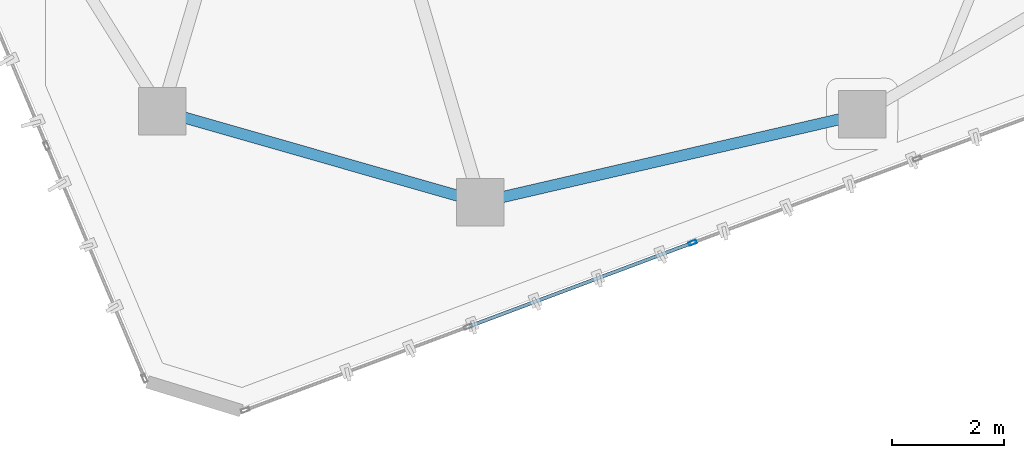
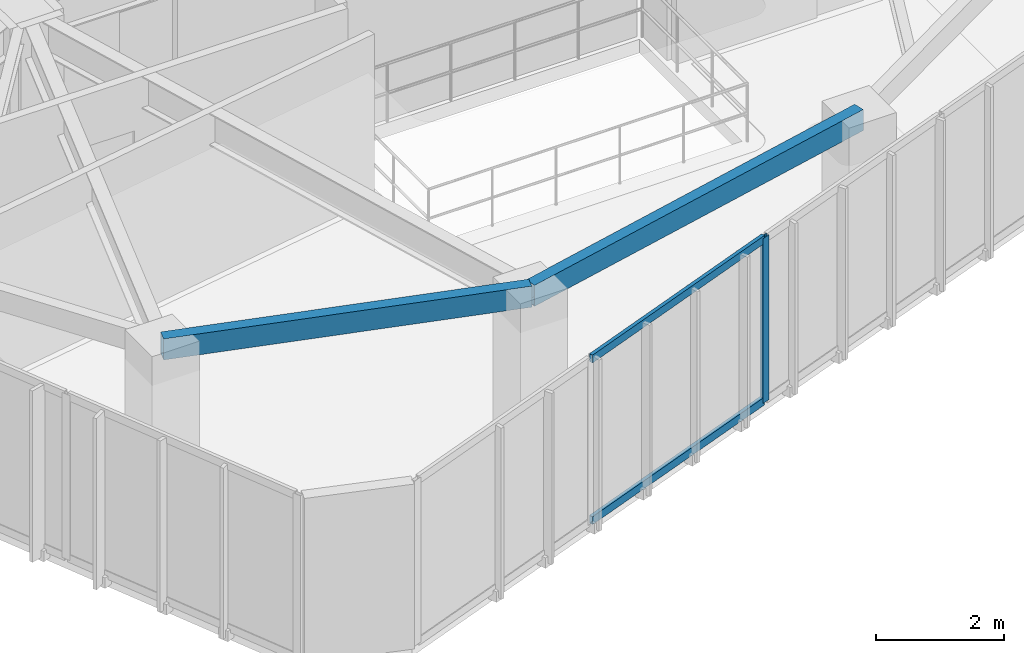
# One storey, part 3 of 20: 3 members, 2 beams, 1 element without a shape of its own.
"""IFC4 building model written with IfcOpenShell, lengths in metres."""

from ifc_helpers import new_model, si_unit, direction, frame, origin, origin_2d, place, context, subcontext, project, spatial, hollow_rectangle, extrude, source, transform, mapped, material, layer, layer_set, material_profile, profile_set, type_object, type_shapes, element, aggregate, save


model = new_model("IFC4")

# Units and contexts
model_context = context("Model", 3, precision=1e-05, world=origin(), true_north=direction((0.0, 1.0)))
body_context = subcontext(model_context, "Body", "Model", "MODEL_VIEW")
ifc_project = project(units=[si_unit("LENGTHUNIT", "METRE"), si_unit("AREAUNIT", "SQUARE_METRE"), si_unit("VOLUMEUNIT", "CUBIC_METRE"), si_unit("PLANEANGLEUNIT", "RADIAN"), si_unit("MASSUNIT", "GRAM", prefix="KILO")], contexts=[model_context])

# Site, building, storey
site_placement = place(None, origin())
site = spatial("IfcSite", under=ifc_project, at=site_placement, CompositionType="ELEMENT")
building_placement = place(site_placement, origin())
building = spatial("IfcBuilding", under=site, at=building_placement, Name="Talar Marvaseh", CompositionType="ELEMENT")
storey_placement = place(building_placement, frame((0.0, 0.0, 281.60009765625)))
storey = spatial("IfcBuildingStorey", under=building, at=storey_placement, Name="L75", CompositionType="ELEMENT", Elevation=281.60009765625)

# Beams
ifc_material_1 = material(Name="Steel S355", Category="steel")
ifc_material_profile_1 = material_profile(ifc_material_1, hollow_rectangle(XDim=0.199951171875, YDim=0.39990234375, WallThickness=0.013916015625, at=origin_2d()), Name="RHS400x200x14")
ifc_profile_set_1 = profile_set([ifc_material_profile_1], Name="Steel S355")
beam_type = type_object("IfcBeamType", Name="Zone 3 Perimeter Spandrel Beam RHS400x200x14", PredefinedType="SPANDREL", material=ifc_profile_set_1)
beam_1_placement = place(storey_placement, frame((28.60498046875, 16.616943359375, 2.93994140625), z_axis=(-0.974361245946, -0.22498924952, 0.0), x_axis=(0.22498924952, -0.974361245946, 0.0)))
element("IfcBeam", 1, at=beam_1_placement, inside=storey, type_object=beam_type, Name="L75 Zone 3 Perimeter Spandrel Beam RHS400x200x14", PredefinedType="SPANDREL", context=body_context, shape_type="SweptSolid", body=[
    extrude(hollow_rectangle(XDim=0.199951171875, YDim=0.39990234375, WallThickness=0.013916015625, at=origin_2d()), origin(), (0.0, 0.0, 1.0), 7.0087890625),
])
beam_2_placement = place(storey_placement, frame((21.77587890625, 15.0400390625, 2.93994140625), z_axis=(-0.961411768303, 0.275113452538, 0.0), x_axis=(-0.275113452538, -0.961411768303, 0.0)))
element("IfcBeam", 2, at=beam_2_placement, inside=storey, type_object=beam_type, Name="L75 Zone 3 Perimeter Spandrel Beam RHS400x200x14", PredefinedType="SPANDREL", context=body_context, shape_type="SweptSolid", body=[
    extrude(hollow_rectangle(XDim=0.199951171875, YDim=0.39990234375, WallThickness=0.013916015625, at=origin_2d()), origin(), (0.0, 0.0, 1.0), 5.917236328125),
])

# Curtain wall, members
ifc_material_2 = material(Name="Architectural Aluminium", Category="aluminium")
ifc_layer = layer(ifc_material_2, 0.179931640625)
ifc_layer_set = layer_set([ifc_layer], Name="Architectural Aluminium")
curtain_wall_type = type_object("IfcCurtainWallType", Name="Unitised High-Wind Sky Curtain Wall Z4", PredefinedType="NOTDEFINED", material=ifc_layer_set)
curtain_wall_placement = place(storey_placement, origin())
curtain_wall = element("IfcCurtainWall", 3, at=curtain_wall_placement, inside=storey, type_object=curtain_wall_type, Name="L75 Unitised High-Wind Sky Curtain Wall Z4", PredefinedType="NOTDEFINED")
ifc_material_profile_2 = material_profile(ifc_material_2, hollow_rectangle(XDim=0.06494140625, YDim=0.14990234375, WallThickness=0.00390625, at=origin_2d()), Name="RHS150x65x4")
ifc_profile_set_2 = profile_set([ifc_material_profile_2], Name="Architectural Aluminium")
member_type_1 = type_object("IfcMemberType", Name="Unitised Curtain Wall Slim Mullion RHS150x65x4", PredefinedType="MULLION", material=ifc_profile_set_2)
shared_shape_1 = source(origin(), body_context, "Body", "SweptSolid", [
    extrude(hollow_rectangle(XDim=0.06494140625, YDim=0.14990234375, WallThickness=0.00390625, at=origin_2d()), origin(), (0.0, 0.0, 1.0), 3.139892578125),
])
type_shapes(member_type_1, [shared_shape_1])
member_1_placement = place(storey_placement, frame((25.572998046875, 14.31494140625, 0.0), z_axis=(0.0, 0.0, 1.0), x_axis=(0.350351185001, -0.93661841065, 0.0)))
member_1 = element("IfcMember", 4, at=member_1_placement, type_object=member_type_1, Name="CW-Z4 mullion 3", PredefinedType="MULLION", context=body_context, shape_type="MappedRepresentation", body=[
    mapped(shared_shape_1, transform((0.0, 0.0, 0.0), x_axis=(1.0, 0.0, 0.0), y_axis=(0.0, 1.0, 0.0), z_axis=(0.0, 0.0, 1.0), scale=1.0)),
])
ifc_material_profile_3 = material_profile(ifc_material_2, hollow_rectangle(XDim=0.06494140625, YDim=0.14990234375, WallThickness=0.00390625, at=origin_2d()), Name="RHS150x65x4")
ifc_profile_set_3 = profile_set([ifc_material_profile_3], Name="Architectural Aluminium")
member_type_2 = type_object("IfcMemberType", Name="Unitised Curtain Wall Slim Transom RHS150x65x4", PredefinedType="USERDEFINED", material=ifc_profile_set_3)
shared_shape_2 = source(origin(), body_context, "Body", "SweptSolid", [
    extrude(hollow_rectangle(XDim=0.06494140625, YDim=0.14990234375, WallThickness=0.00390625, at=origin_2d()), origin(), (0.0, 0.0, 1.0), 4.22119140625),
])
type_shapes(member_type_2, [shared_shape_2])
member_2_placement = place(storey_placement, frame((25.54248046875, 14.3037109375, 0.032470703125), z_axis=(-0.936609347788, -0.350375412431, 0.0), x_axis=(0.350375412431, -0.936609347788, 0.0)))
member_2 = element("IfcMember", 5, at=member_2_placement, type_object=member_type_2, Name="CW-Z4 transom 3.1", ObjectType="TRANSOM", PredefinedType="USERDEFINED", context=body_context, shape_type="MappedRepresentation", body=[
    mapped(shared_shape_2, transform((0.0, 0.0, 0.0), x_axis=(1.0, 0.0, 0.0), y_axis=(0.0, 1.0, 0.0), z_axis=(0.0, 0.0, 1.0), scale=1.0)),
])
member_3_placement = place(storey_placement, frame((25.54248046875, 14.3037109375, 3.107421875), z_axis=(-0.936609347788, -0.350375412431, 0.0), x_axis=(0.350375412431, -0.936609347788, 0.0)))
member_3 = element("IfcMember", 6, at=member_3_placement, type_object=member_type_2, Name="CW-Z4 transom 3.2", ObjectType="TRANSOM", PredefinedType="USERDEFINED", context=body_context, shape_type="MappedRepresentation", body=[
    mapped(shared_shape_2, transform((0.0, 0.0, 0.0), x_axis=(1.0, 0.0, 0.0), y_axis=(0.0, 1.0, 0.0), z_axis=(0.0, 0.0, 1.0), scale=1.0)),
])
aggregate(curtain_wall, [member_1, member_2, member_3])

save(model, "model.ifc")
